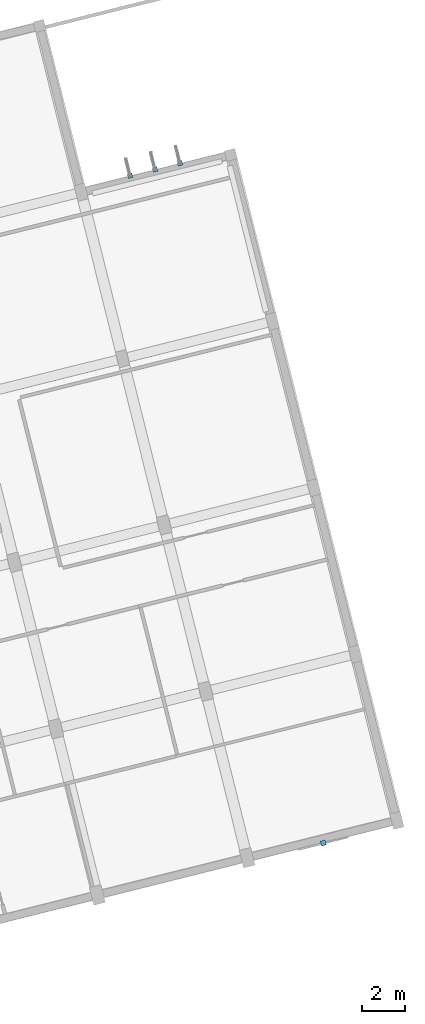
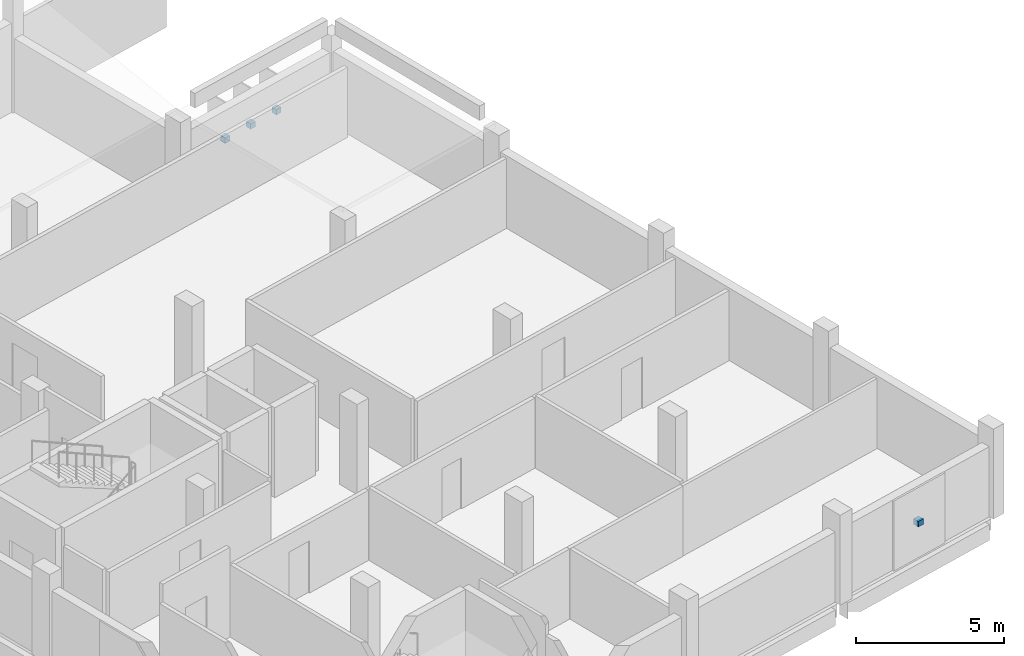
# One storey, part 38 of 47: 4 discrete accessories.
"""IFC4 building model written with IfcOpenShell, lengths in metres."""

from ifc_helpers import new_model, si_unit, direction, frame, origin, origin_2d, place, context, subcontext, project, spatial, rectangle, extrude, material, layer, layer_set, type_object, element, save


model = new_model("IFC4")

# Units and contexts
model_context = context("Model", 3, precision=1e-05, world=origin(), true_north=direction((0.0, 1.0)))
body_context = subcontext(model_context, "Body", "Model", "MODEL_VIEW")
ifc_project = project(units=[si_unit("LENGTHUNIT", "METRE"), si_unit("AREAUNIT", "SQUARE_METRE"), si_unit("VOLUMEUNIT", "CUBIC_METRE"), si_unit("PLANEANGLEUNIT", "RADIAN"), si_unit("MASSUNIT", "GRAM", prefix="KILO")], contexts=[model_context])

# Site, building, storey
site_placement = place(None, origin())
site = spatial("IfcSite", under=ifc_project, at=site_placement, CompositionType="ELEMENT")
building_placement = place(site_placement, origin())
building = spatial("IfcBuilding", under=site, at=building_placement, Name="Mawjan Specialist Oncology Clinic", CompositionType="ELEMENT")
storey_placement = place(building_placement, frame((0.0, 0.0, 9.5)))
storey = spatial("IfcBuildingStorey", under=building, at=storey_placement, Name="L02", CompositionType="ELEMENT", Elevation=9.5)

# Discrete accessories
ifc_material = material(Name="Structural steel S355", Category="steel")
ifc_layer = layer(ifc_material, 0.219970703125, Name="Structural steel S355", Category="steel")
ifc_layer_set = layer_set([ifc_layer], Name="Structural steel S355")
discrete_accessory_type = type_object("IfcDiscreteAccessoryType", Name="BRK-S355", PredefinedType="BRACKET", material=ifc_layer_set)
for number, where, z_axis, x_axis, name in (
    (1, (141.49853515625, 37.8447265625, 1.38232421875), (0.0, 0.0, 1.0), (0.970295726276, 0.2419218956, 0.0), "Solar Fin Mounting Bracket 15"),
    (2, (142.662841796875, 38.135009765625, 1.38232421875), (0.0, 0.0, 1.0), (0.970295726276, 0.2419218956, 0.0), "Solar Fin Mounting Bracket 16"),
    (3, (143.8271484375, 38.42529296875, 1.38232421875), (0.0, 0.0, 1.0), (0.970295726276, 0.2419218956, 0.0), "Solar Fin Mounting Bracket 17"),
):
    element("IfcDiscreteAccessory", number, at=place(storey_placement, frame(where, z_axis=z_axis, x_axis=x_axis)), inside=storey, type_object=discrete_accessory_type, Name=name, PredefinedType="BRACKET", context=body_context, shape_type="SweptSolid", body=[
        extrude(rectangle(XDim=0.219970703125, YDim=0.219970703125, at=origin_2d()), origin(), (0.0, 0.0, 1.0), 0.219970703125),
    ])
discrete_accessory_placement = place(storey_placement, frame((150.5107421875, 6.710205078125, 1.33251953125), z_axis=(0.0, 0.0, 1.0), x_axis=(-0.970295726276, -0.2419218956, 0.0)))
element("IfcDiscreteAccessory", 4, at=discrete_accessory_placement, inside=storey, type_object=discrete_accessory_type, Name="Rawshan Screen Mounting Bracket 18", PredefinedType="BRACKET", context=body_context, shape_type="SweptSolid", body=[
    extrude(rectangle(XDim=0.239990234375, YDim=0.239990234375, at=origin_2d()), origin(), (0.0, 0.0, 1.0), 0.219970703125),
])

save(model, "model.ifc")
